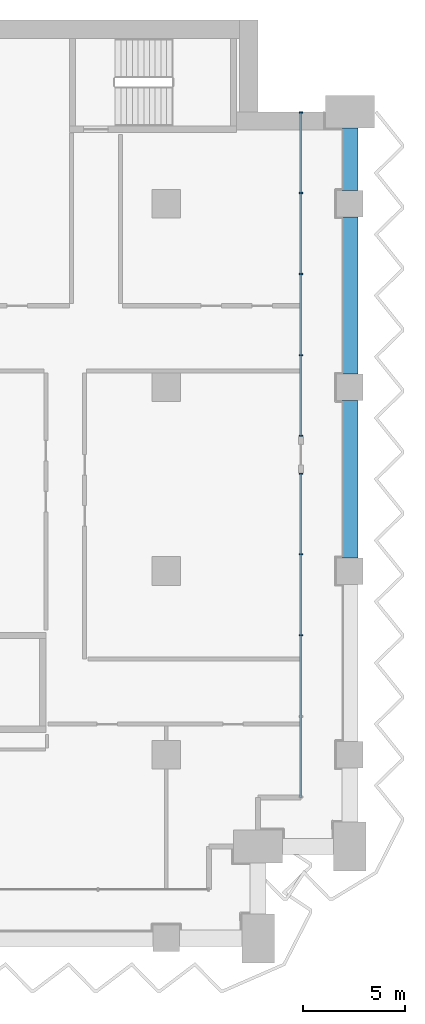
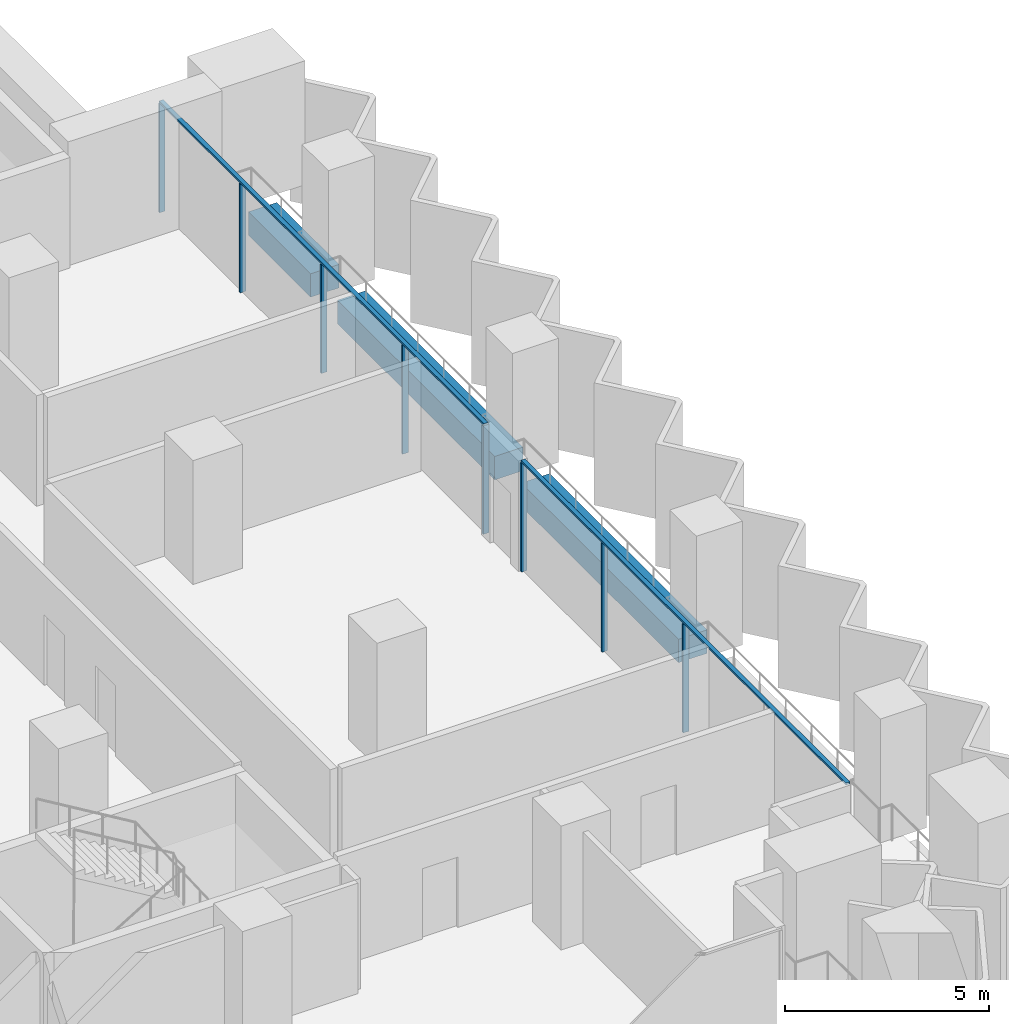
# One storey, part 7 of 28: 10 members, 3 beams, 2 elements without a shape of their own.
"""IFC4 building model written with IfcOpenShell, lengths in metres."""

from ifc_helpers import new_model, si_unit, direction, frame, origin, origin_2d, place, context, subcontext, project, spatial, rectangle, extrude, material, material_profile, profile_set, type_object, element, aggregate, save


model = new_model("IFC4")

# Units and contexts
model_context = context("Model", 3, precision=1e-05, world=origin(), true_north=direction((0.0, 1.0)))
body_context = subcontext(model_context, "Body", "Model", "MODEL_VIEW")
ifc_project = project(units=[si_unit("LENGTHUNIT", "METRE"), si_unit("AREAUNIT", "SQUARE_METRE"), si_unit("VOLUMEUNIT", "CUBIC_METRE"), si_unit("PLANEANGLEUNIT", "RADIAN"), si_unit("MASSUNIT", "GRAM", prefix="KILO")], contexts=[model_context])

# Site, building, storey
site_placement = place(None, origin())
site = spatial("IfcSite", under=ifc_project, at=site_placement, CompositionType="ELEMENT")
building_placement = place(site_placement, origin())
building = spatial("IfcBuilding", under=site, at=building_placement, Name="Hunhe Ridgeline Campus", CompositionType="ELEMENT")
storey_placement = place(building_placement, frame((0.0, 0.0, 39.5)))
storey = spatial("IfcBuildingStorey", under=building, at=storey_placement, Name="L08", CompositionType="ELEMENT", Elevation=39.5)

# Curtain wall, members
ifc_material_1 = material(Name="Aluminium 6063", Category="aluminium")
curtain_wall_type = type_object("IfcCurtainWallType", Name="Curtain wall CW-1", PredefinedType="NOTDEFINED", material=ifc_material_1)
curtain_wall_1_placement = place(storey_placement, origin())
curtain_wall_1 = element("IfcCurtainWall", 1, at=curtain_wall_1_placement, inside=storey, type_object=curtain_wall_type, Name="Curtain wall 15", PredefinedType="NOTDEFINED")
ifc_material_profile_1 = material_profile(ifc_material_1, rectangle(XDim=0.159912109375, YDim=0.06005859375, at=origin_2d()))
ifc_profile_set_1 = profile_set([ifc_material_profile_1], Name="Aluminium 6063")
member_type_1 = type_object("IfcMemberType", Name="CW-1 aluminium mullion", PredefinedType="MULLION", material=ifc_profile_set_1)
member_1_placement = place(storey_placement, frame((96.59912109375, 68.850830078125, 0.0), z_axis=(0.0, 0.0, 1.0), x_axis=(-1.0, 0.0, 0.0)))
member_1 = element("IfcMember", 2, at=member_1_placement, type_object=member_type_1, Name="CW-1 mullion 3", PredefinedType="MULLION", context=body_context, shape_type="SweptSolid", body=[
    extrude(rectangle(XDim=0.159912109375, YDim=0.06005859375, at=origin_2d()), origin(), (0.0, 0.0, 1.0), 3.239990234375),
])
member_2_placement = place(storey_placement, frame((96.59912109375, 72.82568359375, 0.0), z_axis=(0.0, 0.0, 1.0), x_axis=(-1.0, 0.0, 0.0)))
member_2 = element("IfcMember", 3, at=member_2_placement, type_object=member_type_1, Name="CW-1 mullion 4", PredefinedType="MULLION", context=body_context, shape_type="SweptSolid", body=[
    extrude(rectangle(XDim=0.159912109375, YDim=0.06005859375, at=origin_2d()), origin(), (0.0, 0.0, 1.0), 3.239990234375),
])
member_3_placement = place(storey_placement, frame((96.59912109375, 76.7705078125, 0.0), z_axis=(0.0, 0.0, 1.0), x_axis=(-1.0, 0.0, 0.0)))
member_3 = element("IfcMember", 4, at=member_3_placement, type_object=member_type_1, Name="CW-1 mullion 5", PredefinedType="MULLION", context=body_context, shape_type="SweptSolid", body=[
    extrude(rectangle(XDim=0.159912109375, YDim=0.06005859375, at=origin_2d()), origin(), (0.0, 0.0, 1.0), 3.239990234375),
])

curtain_wall_2_placement = place(storey_placement, origin())
curtain_wall_2 = element("IfcCurtainWall", 5, at=curtain_wall_2_placement, inside=storey, type_object=curtain_wall_type, Name="Curtain wall 16", PredefinedType="NOTDEFINED")
member_4_placement = place(storey_placement, frame((96.59912109375, 78.630615234375, 0.0), z_axis=(0.0, 0.0, 1.0), x_axis=(-1.0, 0.0, 0.0)))
member_4 = element("IfcMember", 6, at=member_4_placement, type_object=member_type_1, Name="CW-1 mullion 1", PredefinedType="MULLION", context=body_context, shape_type="SweptSolid", body=[
    extrude(rectangle(XDim=0.159912109375, YDim=0.06005859375, at=origin_2d()), origin(), (0.0, 0.0, 1.0), 3.239990234375),
])
member_5_placement = place(storey_placement, frame((96.59912109375, 82.575439453125, 0.0), z_axis=(0.0, 0.0, 1.0), x_axis=(-1.0, 0.0, 0.0)))
member_5 = element("IfcMember", 7, at=member_5_placement, type_object=member_type_1, Name="CW-1 mullion 2", PredefinedType="MULLION", context=body_context, shape_type="SweptSolid", body=[
    extrude(rectangle(XDim=0.159912109375, YDim=0.06005859375, at=origin_2d()), origin(), (0.0, 0.0, 1.0), 3.239990234375),
])
member_6_placement = place(storey_placement, frame((96.59912109375, 86.55029296875, 0.0), z_axis=(0.0, 0.0, 1.0), x_axis=(-1.0, 0.0, 0.0)))
member_6 = element("IfcMember", 8, at=member_6_placement, type_object=member_type_1, Name="CW-1 mullion 3", PredefinedType="MULLION", context=body_context, shape_type="SweptSolid", body=[
    extrude(rectangle(XDim=0.159912109375, YDim=0.06005859375, at=origin_2d()), origin(), (0.0, 0.0, 1.0), 3.239990234375),
])
member_7_placement = place(storey_placement, frame((96.59912109375, 90.525146484375, 0.0), z_axis=(0.0, 0.0, 1.0), x_axis=(-1.0, 0.0, 0.0)))
member_7 = element("IfcMember", 9, at=member_7_placement, type_object=member_type_1, Name="CW-1 mullion 4", PredefinedType="MULLION", context=body_context, shape_type="SweptSolid", body=[
    extrude(rectangle(XDim=0.159912109375, YDim=0.06005859375, at=origin_2d()), origin(), (0.0, 0.0, 1.0), 3.239990234375),
])
member_8_placement = place(storey_placement, frame((96.59912109375, 94.469970703125, 0.0), z_axis=(0.0, 0.0, 1.0), x_axis=(-1.0, 0.0, 0.0)))
member_8 = element("IfcMember", 10, at=member_8_placement, type_object=member_type_1, Name="CW-1 mullion 5", PredefinedType="MULLION", context=body_context, shape_type="SweptSolid", body=[
    extrude(rectangle(XDim=0.159912109375, YDim=0.06005859375, at=origin_2d()), origin(), (0.0, 0.0, 1.0), 3.239990234375),
])

# Member
ifc_material_profile_2 = material_profile(ifc_material_1, rectangle(XDim=0.1201171875, YDim=0.06005859375, at=origin_2d()))
ifc_profile_set_2 = profile_set([ifc_material_profile_2], Name="Aluminium 6063")
member_type_2 = type_object("IfcMemberType", Name="CW-1 aluminium transom", PredefinedType="USERDEFINED", material=ifc_profile_set_2)
member_9_placement = place(storey_placement, frame((96.59912109375, 60.90087890625, 3.27001953125), z_axis=(0.0, 1.0, 0.0), x_axis=(-1.0, 0.0, 0.0)))
member_9 = element("IfcMember", 11, at=member_9_placement, type_object=member_type_2, Name="CW-1 transom 1", ObjectType="TRANSOM", PredefinedType="USERDEFINED", context=body_context, shape_type="SweptSolid", body=[
    extrude(rectangle(XDim=0.1201171875, YDim=0.06005859375, at=origin_2d()), origin(), (0.0, 0.0, 1.0), 15.899658203125),
])

aggregate(curtain_wall_1, [member_9, member_1, member_2, member_3])

member_10_placement = place(storey_placement, frame((96.59912109375, 78.6005859375, 3.27001953125), z_axis=(0.0, 1.0, 0.0), x_axis=(-1.0, 0.0, 0.0)))
member_10 = element("IfcMember", 12, at=member_10_placement, type_object=member_type_2, Name="CW-1 transom 1", ObjectType="TRANSOM", PredefinedType="USERDEFINED", context=body_context, shape_type="SweptSolid", body=[
    extrude(rectangle(XDim=0.1201171875, YDim=0.06005859375, at=origin_2d()), origin(), (0.0, 0.0, 1.0), 15.8994140625),
])

aggregate(curtain_wall_2, [member_10, member_4, member_5, member_6, member_7, member_8])

# Beams
ifc_material_2 = material(Name="Concrete C60", Category="concrete")
ifc_material_profile_3 = material_profile(ifc_material_2, rectangle(XDim=0.800048828125, YDim=0.699951171875, at=origin_2d()))
ifc_profile_set_3 = profile_set([ifc_material_profile_3], Name="Concrete C60")
beam_type = type_object("IfcBeamType", Name="RC spandrel beam 800x700 Concrete C60", PredefinedType="SPANDREL", material=ifc_profile_set_3)
for number, where, z_axis, x_axis, name in (
    (13, (99.0, 72.64990234375, -0.60009765625), (0.0, 1.0, 0.0), (-1.0, 0.0, 0.0), "Spandrel beam B1-22 L08"),
    (14, (99.0, 81.64990234375, -0.60009765625), (0.0, 1.0, 0.0), (-1.0, 0.0, 0.0), "Spandrel beam B1-23 L08"),
):
    element("IfcBeam", number, at=place(storey_placement, frame(where, z_axis=z_axis, x_axis=x_axis)), inside=storey, type_object=beam_type, Name=name, PredefinedType="SPANDREL", context=body_context, shape_type="SweptSolid", body=[
        extrude(rectangle(XDim=0.800048828125, YDim=0.699951171875, at=origin_2d()), origin(), (0.0, 0.0, 1.0), 7.7001953125),
    ])
beam_placement = place(storey_placement, frame((99.0, 90.64990234375, -0.60009765625), z_axis=(0.0, 1.0, 0.0), x_axis=(-1.0, 0.0, 0.0)))
element("IfcBeam", 15, at=beam_placement, inside=storey, type_object=beam_type, Name="Spandrel beam B1-24 L08", PredefinedType="SPANDREL", context=body_context, shape_type="SweptSolid", body=[
    extrude(rectangle(XDim=0.800048828125, YDim=0.699951171875, at=origin_2d()), origin(), (0.0, 0.0, 1.0), 3.050048828125),
])

save(model, "model.ifc")
